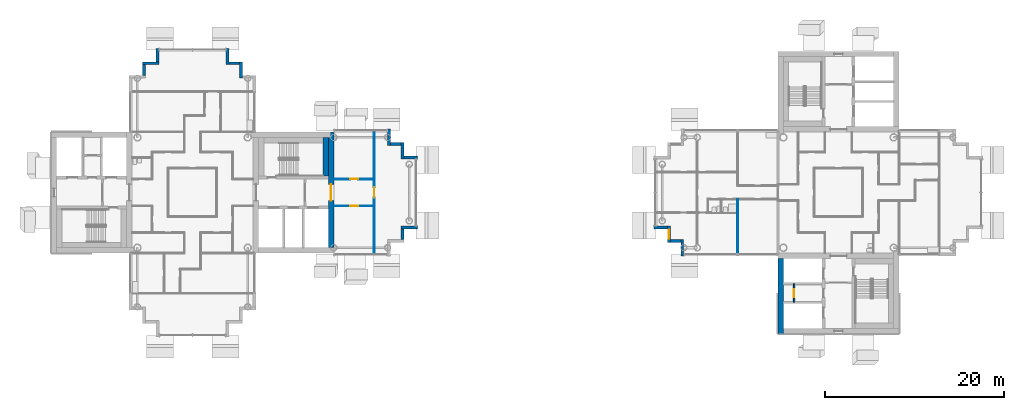
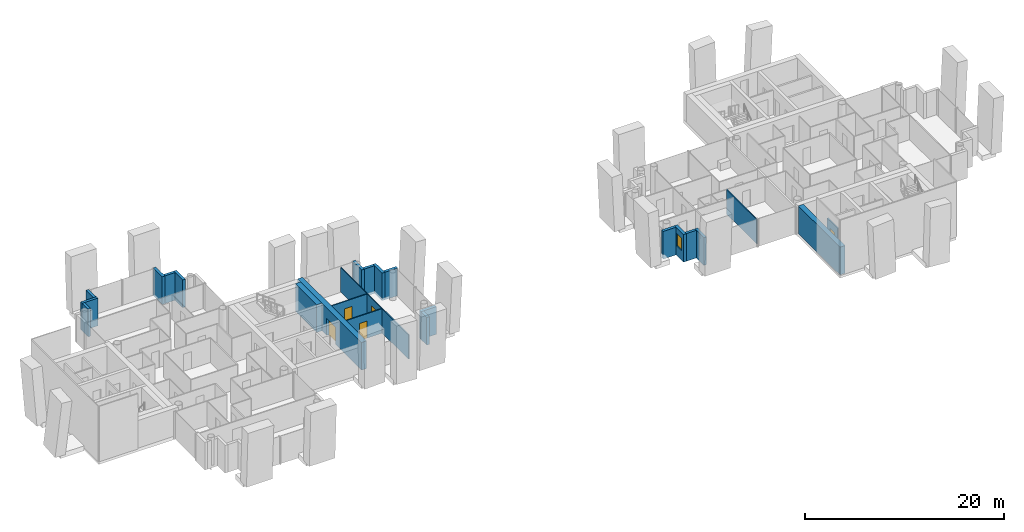
# One storey, part 8 of 18: 24 walls, 5 doors, 1 window, 6 openings.
"""IFC4 building model written with IfcOpenShell, lengths in metres."""

from ifc_helpers import new_model, si_unit, direction, frame, frame_2d, origin, place, context, subcontext, project, spatial, rectangle, extrude, material, layer, layer_set, type_object, element, fill, save


model = new_model("IFC4")

# Units and contexts
model_context = context("Model", 3, precision=1e-05, world=origin(), true_north=direction((0.0, 1.0)))
body_context = subcontext(model_context, "Body", "Model", "MODEL_VIEW")
ifc_project = project(units=[si_unit("LENGTHUNIT", "METRE"), si_unit("AREAUNIT", "SQUARE_METRE"), si_unit("VOLUMEUNIT", "CUBIC_METRE"), si_unit("PLANEANGLEUNIT", "RADIAN"), si_unit("MASSUNIT", "GRAM", prefix="KILO")], contexts=[model_context])

# Site, building, storey
site_placement = place(None, origin())
site = spatial("IfcSite", under=ifc_project, at=site_placement, CompositionType="ELEMENT")
building_placement = place(site_placement, origin())
building = spatial("IfcBuilding", under=site, at=building_placement, Name="Ipe Terrace Towers", CompositionType="ELEMENT")
storey_placement = place(building_placement, frame((0.0, 0.0, 223.199951171875)))
storey = spatial("IfcBuildingStorey", under=building, at=storey_placement, Name="L62", CompositionType="ELEMENT", Elevation=223.199951171875)

# Walls
ifc_material_1 = material(Name="Concrete C40/50 with buff precast cladding", Category="concrete")
ifc_layer_1 = layer(ifc_material_1, 0.320068359375)
ifc_layer_set_1 = layer_set([ifc_layer_1], Name="BUFF CLADDING WALL 320")
wall_type_1 = type_object("IfcWallType", Name="BUFF CLADDING WALL 320", PredefinedType="STANDARD", material=ifc_layer_set_1)
wall_1_placement = place(storey_placement, frame((-12.590087890625, -5.25, -0.300048828125), z_axis=(0.0, 0.0, 1.0), x_axis=(0.0, 1.0, 0.0)))
element("IfcWall", 1, at=wall_1_placement, inside=storey, type_object=wall_type_1, Name="T1-W-L62-19a wall", PredefinedType="STANDARD", context=body_context, shape_type="SweptSolid", body=[
    extrude(rectangle(XDim=1.179931640625, YDim=0.320068359375, at=frame_2d((0.58984375, 0.0))), origin(), (0.0, 0.0, 1.0), 3.400146484375),
])
wall_2_placement = place(storey_placement, frame((-12.75, -3.909912109375, -0.300048828125), z_axis=(0.0, 0.0, 1.0), x_axis=(1.0, 0.0, 0.0)))
element("IfcWall", 2, at=wall_2_placement, inside=storey, type_object=wall_type_1, Name="T1-W-L62-20a wall", PredefinedType="STANDARD", context=body_context, shape_type="SweptSolid", body=[
    extrude(rectangle(XDim=1.820068359375, YDim=0.320068359375, at=frame_2d((0.91015625, 0.0))), origin(), (0.0, 0.0, 1.0), 3.400146484375),
])
wall_3_placement = place(storey_placement, frame((-10.929931640625, 3.909912109375, -0.300048828125), z_axis=(0.0, 0.0, 1.0), x_axis=(-1.0, 0.0, 0.0)))
element("IfcWall", 3, at=wall_3_placement, inside=storey, type_object=wall_type_1, Name="T1-W-L62-22a wall", PredefinedType="STANDARD", context=body_context, shape_type="SweptSolid", body=[
    extrude(rectangle(XDim=1.5, YDim=0.320068359375, at=frame_2d((0.75, 0.0))), origin(), (0.0, 0.0, 1.0), 3.400146484375),
])
wall_4_placement = place(storey_placement, frame((-12.590087890625, 3.75, -0.300048828125), z_axis=(0.0, 0.0, 1.0), x_axis=(0.0, 1.0, 0.0)))
element("IfcWall", 4, at=wall_4_placement, inside=storey, type_object=wall_type_1, Name="T1-W-L62-23a wall", PredefinedType="STANDARD", context=body_context, shape_type="SweptSolid", body=[
    extrude(rectangle(XDim=1.820068359375, YDim=0.320068359375, at=frame_2d((0.91015625, 0.0))), origin(), (0.0, 0.0, 1.0), 3.400146484375),
])
wall_5_placement = place(storey_placement, frame((-12.75, 5.409912109375, -0.300048828125), z_axis=(0.0, 0.0, 1.0), x_axis=(-1.0, 0.0, 0.0)))
element("IfcWall", 5, at=wall_5_placement, inside=storey, type_object=wall_type_1, Name="T1-W-L62-24a wall", PredefinedType="STANDARD", context=body_context, shape_type="SweptSolid", body=[
    extrude(rectangle(XDim=1.179931640625, YDim=0.320068359375, at=frame_2d((0.58984375, 0.0))), origin(), (0.0, 0.0, 1.0), 3.400146484375),
])
for number, where, z_axis, x_axis, name in (
    (6, (-14.090087890625, 5.25, -0.300048828125), (0.0, 0.0, 1.0), (0.0, 1.0, 0.0), "T1-W-L62-25a wall"),
    (7, (-30.590087890625, 12.75, -0.300048828125), (0.0, 0.0, 1.0), (0.0, 1.0, 0.0), "T1-W-L62-31a wall"),
):
    element("IfcWall", number, at=place(storey_placement, frame(where, z_axis=z_axis, x_axis=x_axis)), inside=storey, type_object=wall_type_1, Name=name, PredefinedType="STANDARD", context=body_context, shape_type="SweptSolid", body=[
        extrude(rectangle(XDim=1.820068359375, YDim=0.320068359375, at=frame_2d((0.91015625, 0.0))), origin(), (0.0, 0.0, 1.0), 3.400146484375),
    ])
wall_6_placement = place(storey_placement, frame((-30.75, 14.409912109375, -0.300048828125), z_axis=(0.0, 0.0, 1.0), x_axis=(-1.0, 0.0, 0.0)))
element("IfcWall", 8, at=wall_6_placement, inside=storey, type_object=wall_type_1, Name="T1-W-L62-32a wall", PredefinedType="STANDARD", context=body_context, shape_type="SweptSolid", body=[
    extrude(rectangle(XDim=1.179931640625, YDim=0.320068359375, at=frame_2d((0.58984375, 0.0))), origin(), (0.0, 0.0, 1.0), 3.400146484375),
])
wall_7_placement = place(storey_placement, frame((-32.090087890625, 14.25, -0.300048828125), z_axis=(0.0, 0.0, 1.0), x_axis=(0.0, 1.0, 0.0)))
element("IfcWall", 9, at=wall_7_placement, inside=storey, type_object=wall_type_1, Name="T1-W-L62-33a wall", PredefinedType="STANDARD", context=body_context, shape_type="SweptSolid", body=[
    extrude(rectangle(XDim=1.820068359375, YDim=0.320068359375, at=frame_2d((0.91015625, 0.0))), origin(), (0.0, 0.0, 1.0), 3.400146484375),
])
wall_8_placement = place(storey_placement, frame((-39.909912109375, 16.070068359375, -0.300048828125), z_axis=(0.0, 0.0, 1.0), x_axis=(0.0, -1.0, 0.0)))
element("IfcWall", 10, at=wall_8_placement, inside=storey, type_object=wall_type_1, Name="T1-W-L62-35a wall", PredefinedType="STANDARD", context=body_context, shape_type="SweptSolid", body=[
    extrude(rectangle(XDim=1.5, YDim=0.320068359375, at=frame_2d((0.75, 0.0))), origin(), (0.0, 0.0, 1.0), 3.400146484375),
])
wall_9_placement = place(storey_placement, frame((-39.75, 14.409912109375, -0.300048828125), z_axis=(0.0, 0.0, 1.0), x_axis=(-1.0, 0.0, 0.0)))
element("IfcWall", 11, at=wall_9_placement, inside=storey, type_object=wall_type_1, Name="T1-W-L62-36a wall", PredefinedType="STANDARD", context=body_context, shape_type="SweptSolid", body=[
    extrude(rectangle(XDim=1.820068359375, YDim=0.320068359375, at=frame_2d((0.91015625, 0.0))), origin(), (0.0, 0.0, 1.0), 3.400146484375),
])
wall_10_placement = place(storey_placement, frame((-41.409912109375, 14.25, -0.300048828125), z_axis=(0.0, 0.0, 1.0), x_axis=(0.0, -1.0, 0.0)))
element("IfcWall", 12, at=wall_10_placement, inside=storey, type_object=wall_type_1, Name="T1-W-L62-37a wall", PredefinedType="STANDARD", context=body_context, shape_type="SweptSolid", body=[
    extrude(rectangle(XDim=1.179931640625, YDim=0.320068359375, at=frame_2d((0.58984375, 0.0))), origin(), (0.0, 0.0, 1.0), 3.400146484375),
])
wall_11_placement = place(storey_placement, frame((15.429931640625, -3.909912109375, -0.300048828125), z_axis=(0.0, 0.0, 1.0), x_axis=(1.0, 0.0, 0.0)))
element("IfcWall", 13, at=wall_11_placement, inside=storey, type_object=wall_type_1, Name="T2-W-L62-27a wall", PredefinedType="STANDARD", context=body_context, shape_type="SweptSolid", body=[
    extrude(rectangle(XDim=1.5, YDim=0.320068359375, at=frame_2d((0.75, 0.0))), origin(), (0.0, 0.0, 1.0), 3.400146484375),
])

# Wall, opening, window
wall_12_placement = place(storey_placement, frame((17.090087890625, -3.75, -0.300048828125), z_axis=(0.0, 0.0, 1.0), x_axis=(0.0, -1.0, 0.0)))
wall_12 = element("IfcWall", 14, at=wall_12_placement, inside=storey, type_object=wall_type_1, Name="T2-W-L62-28a wall", PredefinedType="STANDARD", context=body_context, shape_type="SweptSolid", body=[
    extrude(rectangle(XDim=1.820068359375, YDim=0.320068359375, at=frame_2d((0.91015625, 0.0))), origin(), (0.0, 0.0, 1.0), 3.400146484375),
])
opening_1_placement = place(wall_12_placement, frame((0.409912109375, 0.0, 1.199951171875)))
opening_1 = element("IfcOpeningElement", 15, at=opening_1_placement, cuts=wall_12, Name="Opening T2-W-05-L62-01", PredefinedType="OPENING", context=body_context, shape_type="SweptSolid", body=[
    extrude(rectangle(XDim=1.0, YDim=1.5, at=frame_2d((0.5, 0.75))), frame((0.0, 0.169921875, 0.0), z_axis=(0.0, -1.0, 0.0), x_axis=(1.0, 0.0, 0.0)), (0.0, 0.0, 1.0), 0.340087890625),
])
ifc_material_2 = material(Name="Glass, clear laminated", Category="glass")
window_type = type_object("IfcWindowType", Name="DWELLING WINDOW 1000 x 1500", PartitioningType="SINGLE_PANEL", PredefinedType="WINDOW", material=ifc_material_2)
window_placement = place(opening_1_placement, origin())
window = element("IfcWindow", 16, at=window_placement, inside=storey, type_object=window_type, Name="W-05 window", OverallHeight=1.5, OverallWidth=1.0, PartitioningType="SINGLE_PANEL", PredefinedType="WINDOW", context=body_context, shape_type="SweptSolid", body=[
    extrude(rectangle(XDim=1.0, YDim=1.5, at=frame_2d((0.5, 0.75))), frame((0.0, 0.030029296875, 0.0), z_axis=(0.0, -1.0, 0.0), x_axis=(1.0, 0.0, 0.0)), (0.0, 0.0, 1.0), 0.06005859375),
])
fill(opening_1, window)

# Walls
wall_13_placement = place(storey_placement, frame((17.25, -5.409912109375, -0.300048828125), z_axis=(0.0, 0.0, 1.0), x_axis=(1.0, 0.0, 0.0)))
element("IfcWall", 17, at=wall_13_placement, inside=storey, type_object=wall_type_1, Name="T2-W-L62-29a wall", PredefinedType="STANDARD", context=body_context, shape_type="SweptSolid", body=[
    extrude(rectangle(XDim=1.179931640625, YDim=0.320068359375, at=frame_2d((0.58984375, 0.0))), origin(), (0.0, 0.0, 1.0), 3.400146484375),
])
wall_14_placement = place(storey_placement, frame((18.590087890625, -5.25, -0.300048828125), z_axis=(0.0, 0.0, 1.0), x_axis=(0.0, -1.0, 0.0)))
element("IfcWall", 18, at=wall_14_placement, inside=storey, type_object=wall_type_1, Name="T2-W-L62-30a wall", PredefinedType="STANDARD", context=body_context, shape_type="SweptSolid", body=[
    extrude(rectangle(XDim=1.820068359375, YDim=0.320068359375, at=frame_2d((0.91015625, 0.0))), origin(), (0.0, 0.0, 1.0), 3.400146484375),
])

# Wall, opening, door
ifc_material_3 = material(Name="Gypsum board partition", Category="plasterboard")
ifc_layer_2 = layer(ifc_material_3, 0.10009765625)
ifc_layer_set_2 = layer_set([ifc_layer_2], Name="Gypsum board partition 100 mm")
wall_type_2 = type_object("IfcWallType", Name="Gypsum board partition 100 mm", PredefinedType="PARTITIONING", material=ifc_layer_set_2)
wall_15_placement = place(storey_placement, frame((-15.75, -6.85009765625, 0.0), z_axis=(0.0, 0.0, 1.0), x_axis=(0.0, 1.0, 0.0)))
wall_15 = element("IfcWall", 19, at=wall_15_placement, inside=storey, type_object=wall_type_2, Name="Gypsum board partition T1 L62 W15", PredefinedType="PARTITIONING", context=body_context, shape_type="SweptSolid", body=[
    extrude(rectangle(XDim=13.7001953125, YDim=0.10009765625, at=frame_2d((6.85009765625, 0.0))), origin(), (0.0, 0.0, 1.0), 3.0),
])
opening_2_placement = place(wall_15_placement, frame((6.25, 0.0, 0.0)))
opening_2 = element("IfcOpeningElement", 20, at=opening_2_placement, cuts=wall_15, Name="Opening T1-Z4F-17", PredefinedType="OPENING", context=body_context, shape_type="SweptSolid", body=[
    extrude(rectangle(XDim=1.199951171875, YDim=2.10009765625, at=frame_2d((0.60009765625, 1.050048828125))), frame((0.0, 0.06005859375, 0.0), z_axis=(0.0, -1.0, 0.0), x_axis=(1.0, 0.0, 0.0)), (0.0, 0.0, 1.0), 0.1201171875),
])
ifc_material_4 = material(Name="Timber door leaf", Category="wood")
door_type_1 = type_object("IfcDoorType", Name="Lounge door 1200 x 2100", OperationType="NOTDEFINED", PredefinedType="DOOR", material=ifc_material_4)
door_1_placement = place(opening_2_placement, origin())
door_1 = element("IfcDoor", 21, at=door_1_placement, inside=storey, type_object=door_type_1, Name="Lounge door T1-Z4F-17", OperationType="SINGLE_SWING_RIGHT", OverallHeight=2.10009765625, OverallWidth=1.199951171875, PredefinedType="DOOR", context=body_context, shape_type="SweptSolid", body=[
    extrude(rectangle(XDim=1.199951171875, YDim=2.10009765625, at=frame_2d((0.60009765625, 1.050048828125))), frame((0.0, 0.02490234375, 0.0), z_axis=(0.0, -1.0, 0.0), x_axis=(1.0, 0.0, 0.0)), (0.0, 0.0, 1.0), 0.050048828125),
])
fill(opening_2, door_1)

wall_16_placement = place(storey_placement, frame((-20.25, -1.5, 0.0), z_axis=(0.0, 0.0, 1.0), x_axis=(1.0, 0.0, 0.0)))
wall_16 = element("IfcWall", 22, at=wall_16_placement, inside=storey, type_object=wall_type_2, Name="Gypsum board partition T1 L62 W25", PredefinedType="PARTITIONING", context=body_context, shape_type="SweptSolid", body=[
    extrude(rectangle(XDim=4.5, YDim=0.10009765625, at=frame_2d((2.25, 0.0))), origin(), (0.0, 0.0, 1.0), 3.0),
])
opening_3_placement = place(wall_16_placement, frame((1.800048828125, 0.0, 0.0)))
opening_3 = element("IfcOpeningElement", 23, at=opening_3_placement, cuts=wall_16, Name="Opening T1-Z4F-16", PredefinedType="OPENING", context=body_context, shape_type="SweptSolid", body=[
    extrude(rectangle(XDim=0.89990234375, YDim=2.10009765625, at=frame_2d((0.449951171875, 1.050048828125))), frame((0.0, 0.06005859375, 0.0), z_axis=(0.0, -1.0, 0.0), x_axis=(1.0, 0.0, 0.0)), (0.0, 0.0, 1.0), 0.1201171875),
])
ifc_material_5 = material(Name="Timber door leaf", Category="wood")
door_type_2 = type_object("IfcDoorType", Name="Lounge door 900 x 2100", OperationType="NOTDEFINED", PredefinedType="DOOR", material=ifc_material_5)
door_2_placement = place(opening_3_placement, origin())
door_2 = element("IfcDoor", 24, at=door_2_placement, inside=storey, type_object=door_type_2, Name="Lounge door T1-Z4F-16", OperationType="SINGLE_SWING_RIGHT", OverallHeight=2.10009765625, OverallWidth=0.89990234375, PredefinedType="DOOR", context=body_context, shape_type="SweptSolid", body=[
    extrude(rectangle(XDim=0.89990234375, YDim=2.10009765625, at=frame_2d((0.449951171875, 1.050048828125))), frame((0.0, 0.02490234375, 0.0), z_axis=(0.0, -1.0, 0.0), x_axis=(1.0, 0.0, 0.0)), (0.0, 0.0, 1.0), 0.050048828125),
])
fill(opening_3, door_2)

wall_17_placement = place(storey_placement, frame((-20.25, 1.5, 0.0), z_axis=(0.0, 0.0, 1.0), x_axis=(1.0, 0.0, 0.0)))
wall_17 = element("IfcWall", 25, at=wall_17_placement, inside=storey, type_object=wall_type_2, Name="Gypsum board partition T1 L62 W28", PredefinedType="PARTITIONING", context=body_context, shape_type="SweptSolid", body=[
    extrude(rectangle(XDim=4.5, YDim=0.10009765625, at=frame_2d((2.25, 0.0))), origin(), (0.0, 0.0, 1.0), 3.0),
])
opening_4_placement = place(wall_17_placement, frame((1.800048828125, 0.0, 0.0)))
opening_4 = element("IfcOpeningElement", 26, at=opening_4_placement, cuts=wall_17, Name="Opening T1-Z4F-15", PredefinedType="OPENING", context=body_context, shape_type="SweptSolid", body=[
    extrude(rectangle(XDim=0.89990234375, YDim=2.10009765625, at=frame_2d((0.449951171875, 1.050048828125))), frame((0.0, 0.06005859375, 0.0), z_axis=(0.0, -1.0, 0.0), x_axis=(1.0, 0.0, 0.0)), (0.0, 0.0, 1.0), 0.1201171875),
])
door_3_placement = place(opening_4_placement, origin())
door_3 = element("IfcDoor", 27, at=door_3_placement, inside=storey, type_object=door_type_2, Name="Lounge door T1-Z4F-15", OperationType="SINGLE_SWING_LEFT", OverallHeight=2.10009765625, OverallWidth=0.89990234375, PredefinedType="DOOR", context=body_context, shape_type="SweptSolid", body=[
    extrude(rectangle(XDim=0.89990234375, YDim=2.10009765625, at=frame_2d((0.449951171875, 1.050048828125))), frame((0.0, 0.02490234375, 0.0), z_axis=(0.0, -1.0, 0.0), x_axis=(1.0, 0.0, 0.0)), (0.0, 0.0, 1.0), 0.050048828125),
])
fill(opening_4, door_3)

# Wall
wall_18_placement = place(storey_placement, frame((24.75, -6.85009765625, 0.0), z_axis=(0.0, 0.0, 1.0), x_axis=(0.0, 1.0, 0.0)))
element("IfcWall", 28, at=wall_18_placement, inside=storey, type_object=wall_type_2, Name="Gypsum board partition T2 L62 W33", PredefinedType="PARTITIONING", context=body_context, shape_type="SweptSolid", body=[
    extrude(rectangle(XDim=6.10009765625, YDim=0.10009765625, at=frame_2d((3.050048828125, 0.0))), origin(), (0.0, 0.0, 1.0), 3.0),
])

# Wall, opening, door
ifc_material_6 = material(Name="Gypsum board partition", Category="plasterboard")
ifc_layer_3 = layer(ifc_material_6, 0.14990234375)
ifc_layer_set_3 = layer_set([ifc_layer_3], Name="Gypsum board partition 150 mm")
wall_type_3 = type_object("IfcWallType", Name="Gypsum board partition 150 mm", PredefinedType="PARTITIONING", material=ifc_layer_set_3)
wall_19_placement = place(storey_placement, frame((31.050048828125, -10.14990234375, 0.0), z_axis=(0.0, 0.0, 1.0), x_axis=(0.0, -1.0, 0.0)))
wall_19 = element("IfcWall", 29, at=wall_19_placement, inside=storey, type_object=wall_type_3, Name="Gypsum board partition T2 L62 t2c2-q-back", PredefinedType="PARTITIONING", context=body_context, shape_type="SweptSolid", body=[
    extrude(rectangle(XDim=2.10009765625, YDim=0.14990234375, at=frame_2d((1.050048828125, 0.0))), origin(), (0.0, 0.0, 1.0), 3.0),
])
opening_5_placement = place(wall_19_placement, frame((0.60009765625, 0.0, 0.0)))
opening_5 = element("IfcOpeningElement", 30, at=opening_5_placement, cuts=wall_19, Name="Opening T2C2-RB", PredefinedType="OPENING", context=body_context, shape_type="SweptSolid", body=[
    extrude(rectangle(XDim=0.89990234375, YDim=2.10009765625, at=frame_2d((0.449951171875, 1.050048828125))), frame((0.0, 0.0849609375, 0.0), z_axis=(0.0, -1.0, 0.0), x_axis=(1.0, 0.0, 0.0)), (0.0, 0.0, 1.0), 0.169921875),
])
ifc_material_7 = material(Name="Fire-rated timber door leaf", Category="wood")
door_type_3 = type_object("IfcDoorType", Name="Service door 900 x 2100 FD60", OperationType="NOTDEFINED", PredefinedType="DOOR", material=ifc_material_7)
door_4_placement = place(opening_5_placement, origin())
door_4 = element("IfcDoor", 31, at=door_4_placement, inside=storey, type_object=door_type_3, Name="Service door T2C2-RB", OperationType="SINGLE_SWING_LEFT", OverallHeight=2.10009765625, OverallWidth=0.89990234375, PredefinedType="DOOR", context=body_context, shape_type="SweptSolid", body=[
    extrude(rectangle(XDim=0.89990234375, YDim=2.10009765625, at=frame_2d((0.449951171875, 1.050048828125))), frame((0.0, 0.02490234375, 0.0), z_axis=(0.0, -1.0, 0.0), x_axis=(1.0, 0.0, 0.0)), (0.0, 0.0, 1.0), 0.050048828125),
])
fill(opening_5, door_4)

# Wall
ifc_material_8 = material(Name="Concrete C40/50", Category="concrete")
ifc_layer_4 = layer(ifc_material_8, 0.60009765625)
ifc_layer_set_4 = layer_set([ifc_layer_4], Name="RW600 CORE INFILL WALL 600 C40-50")
wall_type_4 = type_object("IfcWallType", Name="RW600 CORE INFILL WALL 600 C40-50", PredefinedType="SHEAR", material=ifc_layer_set_4)
wall_20_placement = place(storey_placement, frame((-21.14990234375, 1.85009765625, 0.0), z_axis=(0.0, 0.0, 1.0), x_axis=(0.0, 1.0, 0.0)))
element("IfcWall", 32, at=wall_20_placement, inside=storey, type_object=wall_type_4, Name="Core infill wall T1-C1-far", PredefinedType="SHEAR", context=body_context, shape_type="SweptSolid", body=[
    extrude(rectangle(XDim=4.2998046875, YDim=0.60009765625, at=frame_2d((2.14990234375, 0.0))), origin(), (0.0, 0.0, 1.0), 3.400146484375),
])

# Wall, opening, door
ifc_material_9 = material(Name="Concrete C40/50", Category="concrete")
ifc_layer_5 = layer(ifc_material_9, 0.60009765625)
ifc_layer_set_5 = layer_set([ifc_layer_5], Name="RW600 CORE WALL 600 C40-50")
wall_type_5 = type_object("IfcWallType", Name="RW600 CORE WALL 600 C40-50", PredefinedType="SHEAR", material=ifc_layer_set_5)
wall_21_placement = place(storey_placement, frame((-20.550048828125, -6.14990234375, 0.0), z_axis=(0.0, 0.0, 1.0), x_axis=(0.0, 1.0, 0.0)))
wall_21 = element("IfcWall", 33, at=wall_21_placement, inside=storey, type_object=wall_type_5, Name="Core wall T1-C1-Z4-W02", PredefinedType="SHEAR", context=body_context, shape_type="SweptSolid", body=[
    extrude(rectangle(XDim=12.89990234375, YDim=0.60009765625, at=frame_2d((6.449951171875, 0.0))), origin(), (0.0, 0.0, 1.0), 3.400146484375),
])
opening_6_placement = place(wall_21_placement, frame((5.25, 0.0, 0.0)))
opening_6 = element("IfcOpeningElement", 34, at=opening_6_placement, cuts=wall_21, Name="Opening T1C1-FD", PredefinedType="OPENING", context=body_context, shape_type="SweptSolid", body=[
    extrude(rectangle(XDim=1.800048828125, YDim=2.10009765625, at=frame_2d((0.89990234375, 1.050048828125))), frame((0.0, 0.31005859375, 0.0), z_axis=(0.0, -1.0, 0.0), x_axis=(1.0, 0.0, 0.0)), (0.0, 0.0, 1.0), 0.6201171875),
])
ifc_material_10 = material(Name="Fire-rated timber door leaf", Category="wood")
door_type_4 = type_object("IfcDoorType", Name="Fire door 1800 x 2100 FD30S", OperationType="NOTDEFINED", PredefinedType="DOOR", material=ifc_material_10)
door_5_placement = place(opening_6_placement, origin())
door_5 = element("IfcDoor", 35, at=door_5_placement, inside=storey, type_object=door_type_4, Name="Fire door T1C1-FD", OperationType="SINGLE_SWING_LEFT", OverallHeight=2.10009765625, OverallWidth=1.800048828125, PredefinedType="DOOR", context=body_context, shape_type="SweptSolid", body=[
    extrude(rectangle(XDim=1.800048828125, YDim=2.10009765625, at=frame_2d((0.89990234375, 1.050048828125))), frame((0.0, 0.02490234375, 0.0), z_axis=(0.0, -1.0, 0.0), x_axis=(1.0, 0.0, 0.0)), (0.0, 0.0, 1.0), 0.050048828125),
])
fill(opening_6, door_5)

# Wall
wall_22_placement = place(storey_placement, frame((29.550048828125, -7.35009765625, 0.0), z_axis=(0.0, 0.0, 1.0), x_axis=(0.0, -1.0, 0.0)))
element("IfcWall", 36, at=wall_22_placement, inside=storey, type_object=wall_type_5, Name="Core wall T2-C2-Z4-W04", PredefinedType="SHEAR", context=body_context, shape_type="SweptSolid", body=[
    extrude(rectangle(XDim=8.39990234375, YDim=0.60009765625, at=frame_2d((4.199951171875, 0.0))), origin(), (0.0, 0.0, 1.0), 3.400146484375),
])

save(model, "model.ifc")
